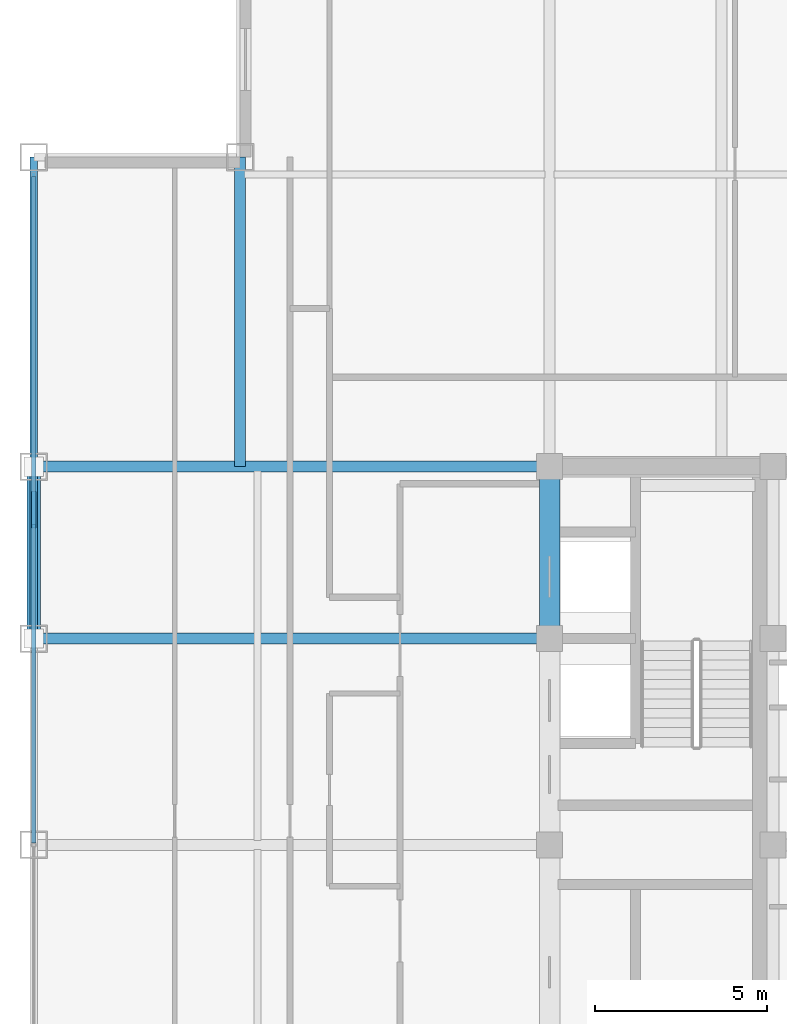
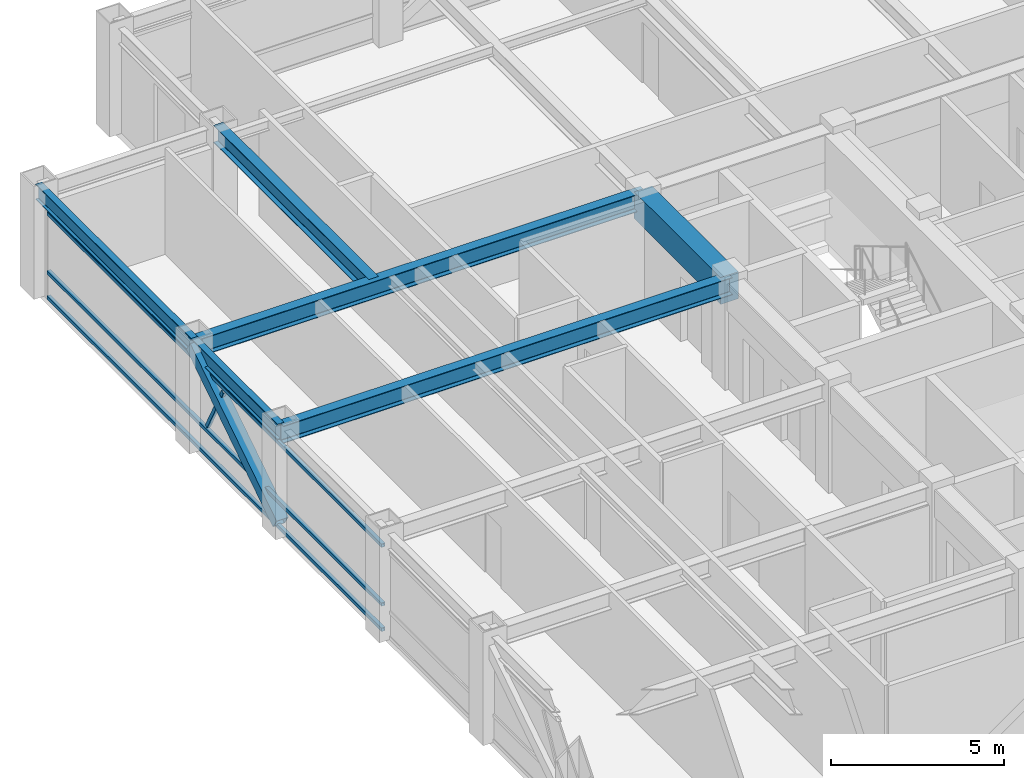
# One storey, part 13 of 28: 6 beams, 5 members, 1 element without a shape of its own.
"""IFC4 building model written with IfcOpenShell, lengths in metres."""

from ifc_helpers import new_model, si_unit, direction, frame, origin, origin_2d, place, context, subcontext, project, spatial, rectangle, hollow_rectangle, i_section, extrude, source, transform, mapped, material, material_profile, profile_set, type_object, element, aggregate, save


model = new_model("IFC4")

# Units and contexts
model_context = context("Model", 3, precision=1e-05, world=origin(), true_north=direction((0.0, 1.0)))
body_context = subcontext(model_context, "Body", "Model", "MODEL_VIEW")
ifc_project = project(units=[si_unit("LENGTHUNIT", "METRE"), si_unit("AREAUNIT", "SQUARE_METRE"), si_unit("VOLUMEUNIT", "CUBIC_METRE"), si_unit("PLANEANGLEUNIT", "RADIAN"), si_unit("MASSUNIT", "GRAM", prefix="KILO")], contexts=[model_context])

# Site, building, storey
site_placement = place(None, origin())
site = spatial("IfcSite", under=ifc_project, at=site_placement, CompositionType="ELEMENT")
building_placement = place(site_placement, origin())
building = spatial("IfcBuilding", under=site, at=building_placement, Name="Khorayat Bourse Tower", CompositionType="ELEMENT")
storey_placement = place(building_placement, frame((0.0, 0.0, 334.300048828125)))
storey = spatial("IfcBuildingStorey", under=building, at=storey_placement, Name="L79", CompositionType="ELEMENT", Elevation=334.300048828125)

# Beams
ifc_material_1 = material(Name="Concrete C60/75", Category="concrete")
ifc_material_profile_1 = material_profile(ifc_material_1, rectangle(XDim=0.60009765625, YDim=0.949951171875, at=origin_2d()), Name="RC 600x950")
ifc_profile_set_1 = profile_set([ifc_material_profile_1], Name="Concrete C60/75")
beam_type_1 = type_object("IfcBeamType", Name="BM-COUP-950", PredefinedType="BEAM", material=ifc_profile_set_1)
shared_shape_1 = source(origin(), body_context, "Body", "SweptSolid", [
    extrude(rectangle(XDim=0.60009765625, YDim=0.949951171875, at=origin_2d()), origin(), (0.0, 0.0, 1.0), 5.0),
])
beam_1_placement = place(storey_placement, frame((-11.0, 6.0, 3.264892578125), z_axis=(0.0, 1.0, 0.0), x_axis=(-1.0, 0.0, 0.0)))
element("IfcBeam", 1, at=beam_1_placement, inside=storey, type_object=beam_type_1, Name="L79 BM-COUP-950 BM-L79-CRX-04", PredefinedType="BEAM", context=body_context, shape_type="MappedRepresentation", body=[
    mapped(shared_shape_1, transform((0.0, 0.0, 0.0), scale=1.0)),
])
ifc_material_2 = material(Name="Steel ASTM A992 Grade 50", Category="steel")
ifc_material_profile_2 = material_profile(ifc_material_2, i_section(OverallWidth=0.214111328125, OverallDepth=0.549072265625, WebThickness=0.0146484375, FlangeThickness=0.023681640625, FilletRadius=0.013916015625, at=origin_2d()), Name="W530X138")
ifc_profile_set_2 = profile_set([ifc_material_profile_2], Name="Steel ASTM A992 Grade 50")
beam_type_2 = type_object("IfcBeamType", Name="BM-SPAN-530", PredefinedType="SPANDREL", material=ifc_profile_set_2)
shared_shape_2 = source(origin(), body_context, "Body", "SweptSolid", [
    extrude(i_section(OverallWidth=0.214111328125, OverallDepth=0.549072265625, WebThickness=0.0146484375, FlangeThickness=0.023681640625, FilletRadius=0.013916015625, at=origin_2d()), origin(), (0.0, 0.0, 1.0), 9.0),
])
beam_2_placement = place(storey_placement, frame((-26.0, 11.0, 3.46533203125), z_axis=(0.0, 1.0, 0.0), x_axis=(-1.0, 0.0, 0.0)))
element("IfcBeam", 2, at=beam_2_placement, inside=storey, type_object=beam_type_2, Name="L79 BM-SPAN-530 BM-L79-SPN-048", PredefinedType="SPANDREL", context=body_context, shape_type="MappedRepresentation", body=[
    mapped(shared_shape_2, transform((0.0, 0.0, 0.0), scale=1.0)),
])
shared_shape_3 = source(origin(), body_context, "Body", "SweptSolid", [
    extrude(i_section(OverallWidth=0.214111328125, OverallDepth=0.549072265625, WebThickness=0.0146484375, FlangeThickness=0.023681640625, FilletRadius=0.013916015625, at=origin_2d()), origin(), (0.0, 0.0, 1.0), 5.0),
])
beam_3_placement = place(storey_placement, frame((-26.0, 6.0, 3.46533203125), z_axis=(0.0, 1.0, 0.0), x_axis=(-1.0, 0.0, 0.0)))
element("IfcBeam", 3, at=beam_3_placement, inside=storey, type_object=beam_type_2, Name="L79 BM-SPAN-530 BM-L79-SPN-049", PredefinedType="SPANDREL", context=body_context, shape_type="MappedRepresentation", body=[
    mapped(shared_shape_3, transform((0.0, 0.0, 0.0), scale=1.0)),
])
ifc_material_profile_3 = material_profile(ifc_material_2, i_section(OverallWidth=0.324951171875, OverallDepth=0.615966796875, WebThickness=0.013916015625, FlangeThickness=0.021484375, FilletRadius=0.01611328125, at=origin_2d()), Name="W610X174")
ifc_profile_set_3 = profile_set([ifc_material_profile_3], Name="Steel ASTM A992 Grade 50")
beam_type_3 = type_object("IfcBeamType", Name="BM-GIRD-610", PredefinedType="BEAM", material=ifc_profile_set_3)
shared_shape_4 = source(origin(), body_context, "Body", "SweptSolid", [
    extrude(i_section(OverallWidth=0.324951171875, OverallDepth=0.615966796875, WebThickness=0.013916015625, FlangeThickness=0.021484375, FilletRadius=0.01611328125, at=origin_2d()), origin(), (0.0, 0.0, 1.0), 15.0),
])
for number, where, z_axis, x_axis, name in (
    (4, (-26.0, 6.0, 3.431884765625), (1.0, 0.0, 0.0), (0.0, 1.0, 0.0), "L79 BM-GIRD-610 BM-L79-RADX-073"),
    (5, (-26.0, 11.0, 3.431884765625), (1.0, 0.0, 0.0), (0.0, 1.0, 0.0), "L79 BM-GIRD-610 BM-L79-RADX-075"),
):
    element("IfcBeam", number, at=place(storey_placement, frame(where, z_axis=z_axis, x_axis=x_axis)), inside=storey, type_object=beam_type_3, Name=name, PredefinedType="BEAM", context=body_context, shape_type="MappedRepresentation", body=[
        mapped(shared_shape_4, transform((0.0, 0.0, 0.0), scale=1.0)),
    ])
shared_shape_5 = source(origin(), body_context, "Body", "SweptSolid", [
    extrude(i_section(OverallWidth=0.324951171875, OverallDepth=0.615966796875, WebThickness=0.013916015625, FlangeThickness=0.021484375, FilletRadius=0.01611328125, at=origin_2d()), origin(), (0.0, 0.0, 1.0), 9.0),
])
beam_4_placement = place(storey_placement, frame((-20.0, 11.0, 3.431884765625), z_axis=(0.0, 1.0, 0.0), x_axis=(-1.0, 0.0, 0.0)))
element("IfcBeam", 6, at=beam_4_placement, inside=storey, type_object=beam_type_3, Name="L79 BM-GIRD-610 BM-L79-CNRY-077", PredefinedType="BEAM", context=body_context, shape_type="MappedRepresentation", body=[
    mapped(shared_shape_5, transform((0.0, 0.0, 0.0), scale=1.0)),
])

# Member
ifc_material_3 = material(Name="Steel EN 10025-4 S460M", Category="steel")
ifc_material_profile_4 = material_profile(ifc_material_3, hollow_rectangle(XDim=0.39990234375, YDim=0.39990234375, WallThickness=0.02197265625, at=origin_2d()), Name="HSS 400x400x22")
ifc_profile_set_4 = profile_set([ifc_material_profile_4], Name="Steel EN 10025-4 S460M")
member_type_1 = type_object("IfcMemberType", Name="MBR-TUBE-400", PredefinedType="BRACE", material=ifc_profile_set_4)
shared_shape_6 = source(origin(), body_context, "Body", "SweptSolid", [
    extrude(hollow_rectangle(XDim=0.39990234375, YDim=0.39990234375, WallThickness=0.02197265625, at=origin_2d()), origin(), (0.0, 0.0, 1.0), 5.9580078125),
])
member_1_placement = place(storey_placement, frame((-26.0, 6.0, 0.25), z_axis=(0.0, 0.839210474455, 0.543806748364), x_axis=(-1.0, 0.0, 0.0)))
element("IfcMember", 7, at=member_1_placement, inside=storey, type_object=member_type_1, Name="L79 Perimeter Tube Brace 06", PredefinedType="BRACE", context=body_context, shape_type="MappedRepresentation", body=[
    mapped(shared_shape_6, transform((0.0, 0.0, 0.0), scale=1.0)),
])

# Curtain wall, members
ifc_material_4 = material(Name="Aluminium EN AW-6063 T6", Category="aluminium")
curtain_wall_type = type_object("IfcCurtainWallType", Name="CW-SYS-04", PredefinedType="NOTDEFINED", material=ifc_material_4)
curtain_wall_placement = place(storey_placement, origin())
curtain_wall = element("IfcCurtainWall", 8, at=curtain_wall_placement, inside=storey, type_object=curtain_wall_type, Name="L79 Curtain Wall CW-L79-W1", PredefinedType="NOTDEFINED")
ifc_material_profile_5 = material_profile(ifc_material_4, hollow_rectangle(XDim=0.1201171875, YDim=0.1201171875, WallThickness=0.0048828125, at=origin_2d()), Name="ALU 120x120x5")
ifc_profile_set_5 = profile_set([ifc_material_profile_5], Name="Aluminium EN AW-6063 T6")
member_type_2 = type_object("IfcMemberType", Name="CWM-DIAG-120", PredefinedType="MULLION", material=ifc_profile_set_5)
shared_shape_7 = source(origin(), body_context, "Body", "SweptSolid", [
    extrude(hollow_rectangle(XDim=0.1201171875, YDim=0.1201171875, WallThickness=0.0048828125, at=origin_2d()), origin(), (0.0, 0.0, 1.0), 2.0341796875),
])
member_2_placement = place(storey_placement, frame((-26.0, 10.21875, 1.08984375), z_axis=(0.0, -0.465790950955, 0.884894790361), x_axis=(1.0, 0.0, 0.0)))
member_2 = element("IfcMember", 9, at=member_2_placement, type_object=member_type_2, Name="CW-L79-W1 Faceted Diagonal Mullion 2", PredefinedType="MULLION", context=body_context, shape_type="MappedRepresentation", body=[
    mapped(shared_shape_7, transform((0.0, 0.0, 0.0), scale=1.0)),
])
ifc_material_profile_6 = material_profile(ifc_material_4, hollow_rectangle(XDim=0.1201171875, YDim=0.1201171875, WallThickness=0.0048828125, at=origin_2d()), Name="ALU 120x120x5")
ifc_profile_set_6 = profile_set([ifc_material_profile_6], Name="Aluminium EN AW-6063 T6")
member_type_3 = type_object("IfcMemberType", Name="CWT-HORZ-120", PredefinedType="USERDEFINED", material=ifc_profile_set_6)
shared_shape_8 = source(origin(), body_context, "Body", "SweptSolid", [
    extrude(hollow_rectangle(XDim=0.1201171875, YDim=0.1201171875, WallThickness=0.0048828125, at=origin_2d()), origin(), (0.0, 0.0, 1.0), 19.369873046875),
])
member_3_placement = place(storey_placement, frame((-26.0, 0.06005859375, 0.06005859375), z_axis=(0.0, 1.0, 0.0), x_axis=(-1.0, 0.0, 0.0)))
member_3 = element("IfcMember", 10, at=member_3_placement, type_object=member_type_3, Name="CW-L79-W1 Horizontal Transom 2-1", ObjectType="TRANSOM", PredefinedType="USERDEFINED", context=body_context, shape_type="MappedRepresentation", body=[
    mapped(shared_shape_8, transform((0.0, 0.0, 0.0), scale=1.0)),
])
member_4_placement = place(storey_placement, frame((-26.0, 0.06005859375, 0.949951171875), z_axis=(0.0, 1.0, 0.0), x_axis=(-1.0, 0.0, 0.0)))
member_4 = element("IfcMember", 11, at=member_4_placement, type_object=member_type_3, Name="CW-L79-W1 Horizontal Transom 2-2", ObjectType="TRANSOM", PredefinedType="USERDEFINED", context=body_context, shape_type="MappedRepresentation", body=[
    mapped(shared_shape_8, transform((0.0, 0.0, 0.0), scale=1.0)),
])
member_5_placement = place(storey_placement, frame((-26.0, 0.06005859375, 3.030029296875), z_axis=(0.0, 1.0, 0.0), x_axis=(-1.0, 0.0, 0.0)))
member_5 = element("IfcMember", 12, at=member_5_placement, type_object=member_type_3, Name="CW-L79-W1 Horizontal Transom 2-3", ObjectType="TRANSOM", PredefinedType="USERDEFINED", context=body_context, shape_type="MappedRepresentation", body=[
    mapped(shared_shape_8, transform((0.0, 0.0, 0.0), scale=1.0)),
])
aggregate(curtain_wall, [member_3, member_4, member_5, member_2])

save(model, "model.ifc")
